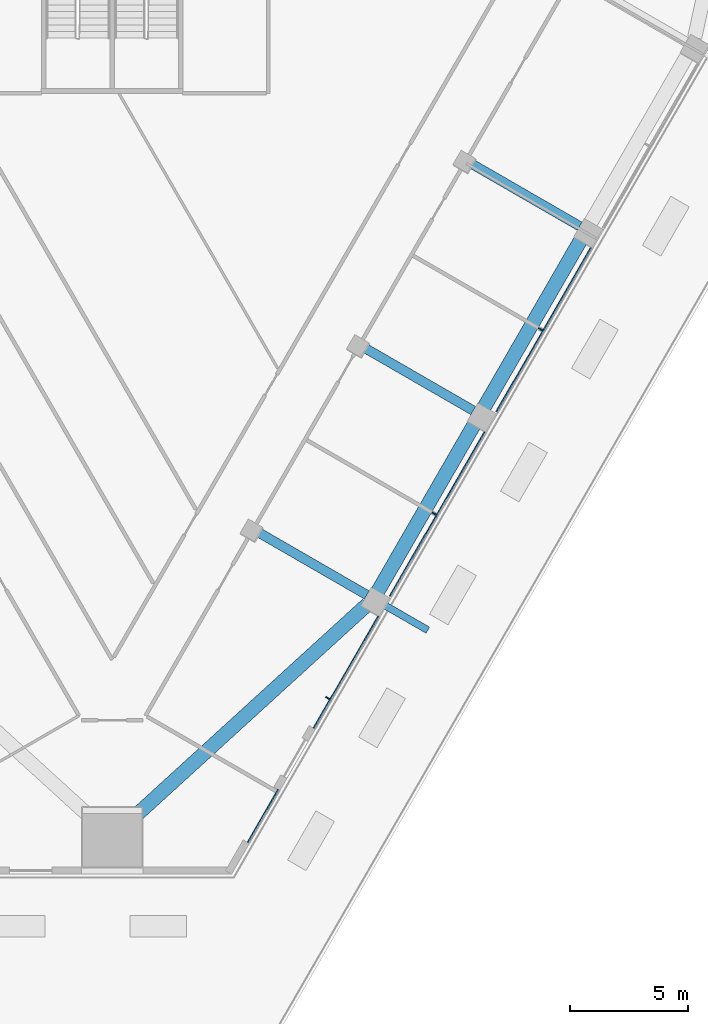
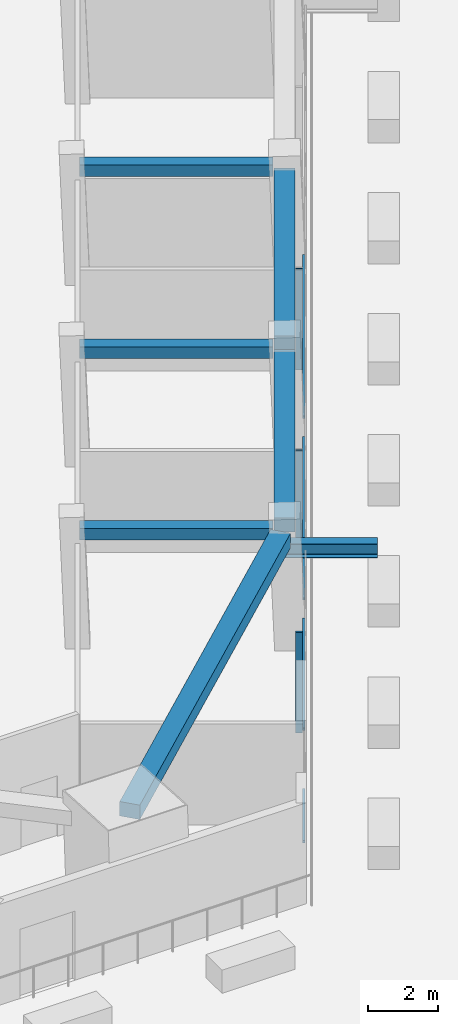
# One storey, part 3 of 15: 8 members, 6 beams, 1 element without a shape of its own.
"""IFC4 building model written with IfcOpenShell, lengths in metres."""

from ifc_helpers import new_model, si_unit, direction, frame, origin, origin_2d, place, context, subcontext, project, spatial, rectangle, i_section, extrude, material, layer, layer_set, material_profile, profile_set, type_object, element, aggregate, save


model = new_model("IFC4")

# Units and contexts
model_context = context("Model", 3, precision=1e-05, world=origin(), true_north=direction((0.0, 1.0)))
body_context = subcontext(model_context, "Body", "Model", "MODEL_VIEW")
ifc_project = project(units=[si_unit("LENGTHUNIT", "METRE"), si_unit("AREAUNIT", "SQUARE_METRE"), si_unit("VOLUMEUNIT", "CUBIC_METRE"), si_unit("PLANEANGLEUNIT", "RADIAN"), si_unit("MASSUNIT", "GRAM", prefix="KILO")], contexts=[model_context])

# Site, building, storey
site_placement = place(None, origin())
site = spatial("IfcSite", under=ifc_project, at=site_placement, CompositionType="ELEMENT")
building_placement = place(site_placement, origin())
building = spatial("IfcBuilding", under=site, at=building_placement, Name="Altiplano Prism Tower", CompositionType="ELEMENT")
storey_placement = place(building_placement, frame((0.0, 0.0, 22.5)))
storey = spatial("IfcBuildingStorey", under=building, at=storey_placement, Name="L04", CompositionType="ELEMENT", Elevation=22.5)

# Member
ifc_material_1 = material(Name="Steel S355", Category="steel")
ifc_material_profile_1 = material_profile(ifc_material_1, i_section(OverallWidth=0.300048828125, OverallDepth=0.5, WebThickness=0.014404296875, FlangeThickness=0.028076171875, FilletRadius=0.027099609375, at=origin_2d()), Name="Brace bracket HEB 500")
ifc_profile_set_1 = profile_set([ifc_material_profile_1], Name="Steel S355")
member_type_1 = type_object("IfcMemberType", Name="Brace bracket HEB 500", PredefinedType="STRUT", material=ifc_profile_set_1)
member_1_placement = place(storey_placement, frame((96.046875, 62.03369140625, 3.185302734375), z_axis=(0.866029095148, -0.499993606316, 0.0), x_axis=(0.499993606316, 0.866029095148, 0.0)))
element("IfcMember", 1, at=member_1_placement, inside=storey, type_object=member_type_1, Name="Brace bracket 2.27", PredefinedType="STRUT", context=body_context, shape_type="SweptSolid", body=[
    extrude(i_section(OverallWidth=0.300048828125, OverallDepth=0.5, WebThickness=0.014404296875, FlangeThickness=0.028076171875, FilletRadius=0.027099609375, at=origin_2d()), origin(), (0.0, 0.0, 1.0), 2.64990234375),
])

# Curtain wall, members
ifc_material_2 = material(Name="Aluminium and glass", Category="aluminium")
ifc_layer = layer(ifc_material_2, 0.303955078125)
ifc_layer_set = layer_set([ifc_layer], Name="Aluminium and glass")
curtain_wall_type = type_object("IfcCurtainWallType", Name="CW2 lounge-band unitised glazing", PredefinedType="NOTDEFINED", material=ifc_layer_set)
curtain_wall_placement = place(storey_placement, origin())
curtain_wall = element("IfcCurtainWall", 2, at=curtain_wall_placement, inside=storey, type_object=curtain_wall_type, Name="CW2 glazing south-east face L04", PredefinedType="NOTDEFINED")
ifc_material_3 = material(Name="Aluminium", Category="aluminium")
ifc_material_profile_2 = material_profile(ifc_material_3, rectangle(XDim=0.199951171875, YDim=0.06005859375, at=origin_2d()), Name="CW2 mullion 60 x 200")
ifc_profile_set_2 = profile_set([ifc_material_profile_2], Name="Aluminium")
member_type_2 = type_object("IfcMemberType", Name="CW2 mullion 60 x 200", PredefinedType="MULLION", material=ifc_profile_set_2)
member_2_placement = place(storey_placement, frame((94.10986328125, 57.84033203125, 0.0), z_axis=(0.0, 0.0, 1.0), x_axis=(-0.86602540354, 0.500000000423, 0.0)))
member_2 = element("IfcMember", 3, at=member_2_placement, type_object=member_type_2, Name="CW2 mullion", PredefinedType="MULLION", context=body_context, shape_type="SweptSolid", body=[
    extrude(rectangle(XDim=0.199951171875, YDim=0.06005859375, at=origin_2d()), origin(), (0.0, 0.0, 1.0), 3.5),
])
member_3_placement = place(storey_placement, frame((98.60986328125, 65.634521484375, 0.0), z_axis=(0.0, 0.0, 1.0), x_axis=(-0.86602540354, 0.500000000423, 0.0)))
member_3 = element("IfcMember", 4, at=member_3_placement, type_object=member_type_2, Name="CW2 mullion", PredefinedType="MULLION", context=body_context, shape_type="SweptSolid", body=[
    extrude(rectangle(XDim=0.199951171875, YDim=0.06005859375, at=origin_2d()), origin(), (0.0, 0.0, 1.0), 3.5),
])
member_4_placement = place(storey_placement, frame((103.10986328125, 73.4287109375, 0.0), z_axis=(0.0, 0.0, 1.0), x_axis=(-0.86602540354, 0.500000000423, 0.0)))
member_4 = element("IfcMember", 5, at=member_4_placement, type_object=member_type_2, Name="CW2 mullion", PredefinedType="MULLION", context=body_context, shape_type="SweptSolid", body=[
    extrude(rectangle(XDim=0.199951171875, YDim=0.06005859375, at=origin_2d()), origin(), (0.0, 0.0, 1.0), 3.5),
])
ifc_material_profile_3 = material_profile(ifc_material_3, rectangle(XDim=0.06005859375, YDim=0.080078125, at=origin_2d()), Name="CW2 transom 80 x 60")
ifc_profile_set_3 = profile_set([ifc_material_profile_3], Name="Aluminium")
member_type_3 = type_object("IfcMemberType", Name="CW2 transom 80 x 60", PredefinedType="USERDEFINED", material=ifc_profile_set_3)
member_5_placement = place(storey_placement, frame((90.734130859375, 51.733154296875, 1.10009765625), z_axis=(0.499919271741, 0.86607200725, 0.0), x_axis=(-0.86607200725, 0.499919271741, 0.0)))
member_5 = element("IfcMember", 6, at=member_5_placement, type_object=member_type_3, Name="CW2 transom", ObjectType="TRANSOM", PredefinedType="USERDEFINED", context=body_context, shape_type="SweptSolid", body=[
    extrude(rectangle(XDim=0.06005859375, YDim=0.080078125, at=origin_2d()), origin(), (0.0, 0.0, 1.0), 2.5771484375),
])
member_6_placement = place(storey_placement, frame((93.5224609375, 56.56298828125, 1.10009765625), z_axis=(0.499993928037, 0.866028909405, 0.0), x_axis=(-0.866028909405, 0.499993928037, 0.0)))
member_6 = element("IfcMember", 7, at=member_6_placement, type_object=member_type_3, Name="CW2 transom", ObjectType="TRANSOM", PredefinedType="USERDEFINED", context=body_context, shape_type="SweptSolid", body=[
    extrude(rectangle(XDim=0.06005859375, YDim=0.080078125, at=origin_2d()), origin(), (0.0, 0.0, 1.0), 5.44921875),
])
member_7_placement = place(storey_placement, frame((96.7470703125, 62.1484375, 1.10009765625), z_axis=(0.500012163284, 0.866018381195, 0.0), x_axis=(-0.866018381195, 0.500012163284, 0.0)))
member_7 = element("IfcMember", 8, at=member_7_placement, type_object=member_type_3, Name="CW2 transom", ObjectType="TRANSOM", PredefinedType="USERDEFINED", context=body_context, shape_type="SweptSolid", body=[
    extrude(rectangle(XDim=0.06005859375, YDim=0.080078125, at=origin_2d()), origin(), (0.0, 0.0, 1.0), 7.999755859375),
])
member_8_placement = place(storey_placement, frame((101.2470703125, 69.942626953125, 1.10009765625), z_axis=(0.500012163284, 0.866018381195, 0.0), x_axis=(-0.866018381195, 0.500012163284, 0.0)))
member_8 = element("IfcMember", 9, at=member_8_placement, type_object=member_type_3, Name="CW2 transom", ObjectType="TRANSOM", PredefinedType="USERDEFINED", context=body_context, shape_type="SweptSolid", body=[
    extrude(rectangle(XDim=0.06005859375, YDim=0.080078125, at=origin_2d()), origin(), (0.0, 0.0, 1.0), 7.999755859375),
])
aggregate(curtain_wall, [member_5, member_2, member_6, member_3, member_7, member_4, member_8])

# Beams
ifc_material_4 = material(Name="Concrete C60/75", Category="concrete")
ifc_material_profile_4 = material_profile(ifc_material_4, rectangle(XDim=0.60009765625, YDim=0.5, at=origin_2d()), Name="Edge beam 600x500")
ifc_profile_set_4 = profile_set([ifc_material_profile_4], Name="Concrete C60/75")
beam_type_1 = type_object("IfcBeamType", Name="Edge beam 600x500", PredefinedType="SPANDREL", material=ifc_profile_set_4)
beam_1_placement = place(storey_placement, frame((85.33251953125, 52.263427734375, 3.75), z_axis=(0.738910863636, 0.673803187585, 0.0), x_axis=(-0.673803187585, 0.738910863636, 0.0)))
element("IfcBeam", 10, at=beam_1_placement, inside=storey, type_object=beam_type_1, Name="Edge beam M1-P21 L05", PredefinedType="SPANDREL", context=body_context, shape_type="SweptSolid", body=[
    extrude(rectangle(XDim=0.60009765625, YDim=0.5, at=origin_2d()), origin(), (0.0, 0.0, 1.0), 14.14794921875),
])
for number, where, z_axis, x_axis, name in (
    (11, (96.2119140625, 62.3193359375, 3.75), (0.499992746786, 0.866029591389, 0.0), (-0.866029591389, 0.499992746786, 0.0), "Edge beam P21-P22 L05"),
    (12, (100.7119140625, 70.11376953125, 3.75), (0.499992746786, 0.866029591389, 0.0), (-0.866029591389, 0.499992746786, 0.0), "Edge beam P22-P23 L05"),
):
    element("IfcBeam", number, at=place(storey_placement, frame(where, z_axis=z_axis, x_axis=x_axis)), inside=storey, type_object=beam_type_1, Name=name, PredefinedType="SPANDREL", context=body_context, shape_type="SweptSolid", body=[
        extrude(rectangle(XDim=0.60009765625, YDim=0.5, at=origin_2d()), origin(), (0.0, 0.0, 1.0), 8.33984375),
    ])
ifc_material_profile_5 = material_profile(ifc_material_4, rectangle(XDim=0.39990234375, YDim=0.39990234375, at=origin_2d()), Name="Tie beam 400x400")
ifc_profile_set_5 = profile_set([ifc_material_profile_5], Name="Concrete C60/75")
beam_type_2 = type_object("IfcBeamType", Name="Tie beam 400x400", PredefinedType="BEAM", material=ifc_profile_set_5)
for number, where, z_axis, x_axis, name in (
    (13, (91.006591796875, 64.943603515625, 3.800048828125), (0.866031549307, -0.499989355492, 0.0), (0.499989355492, 0.866031549307, 0.0), "Tie beam I21 L05"),
    (14, (95.506591796875, 72.73779296875, 3.800048828125), (0.866031549307, -0.499989355492, 0.0), (0.499989355492, 0.866031549307, 0.0), "Tie beam I22 L05"),
):
    element("IfcBeam", number, at=place(storey_placement, frame(where, z_axis=z_axis, x_axis=x_axis)), inside=storey, type_object=beam_type_2, Name=name, PredefinedType="BEAM", context=body_context, shape_type="SweptSolid", body=[
        extrude(rectangle(XDim=0.39990234375, YDim=0.39990234375, at=origin_2d()), origin(), (0.0, 0.0, 1.0), 5.48974609375),
    ])
beam_2_placement = place(storey_placement, frame((100.006591796875, 80.5322265625, 3.800048828125), z_axis=(0.866012292785, -0.50002270823, 0.0), x_axis=(0.50002270823, 0.866012292785, 0.0)))
element("IfcBeam", 15, at=beam_2_placement, inside=storey, type_object=beam_type_2, Name="Tie beam I23 L05", PredefinedType="BEAM", context=body_context, shape_type="SweptSolid", body=[
    extrude(rectangle(XDim=0.39990234375, YDim=0.39990234375, at=origin_2d()), origin(), (0.0, 0.0, 1.0), 5.489990234375),
])

save(model, "model.ifc")
